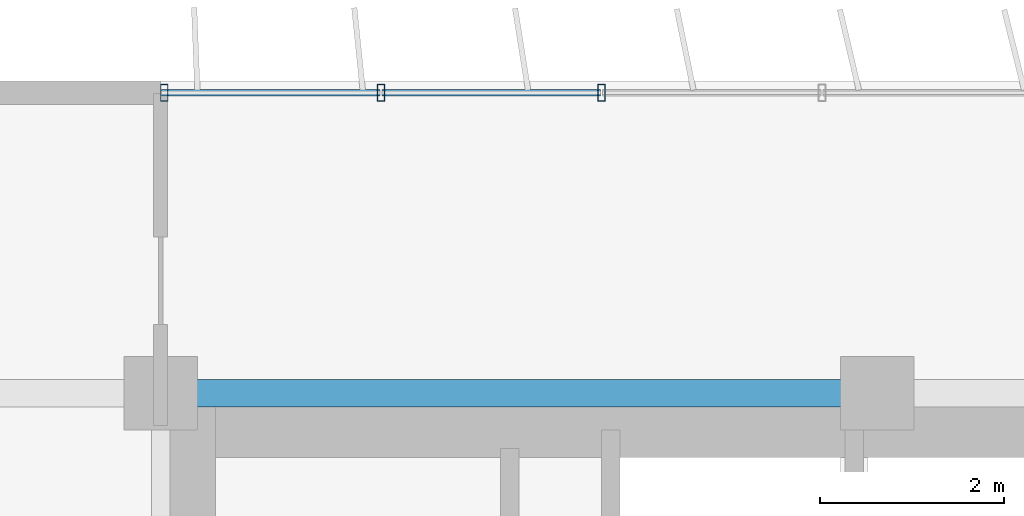
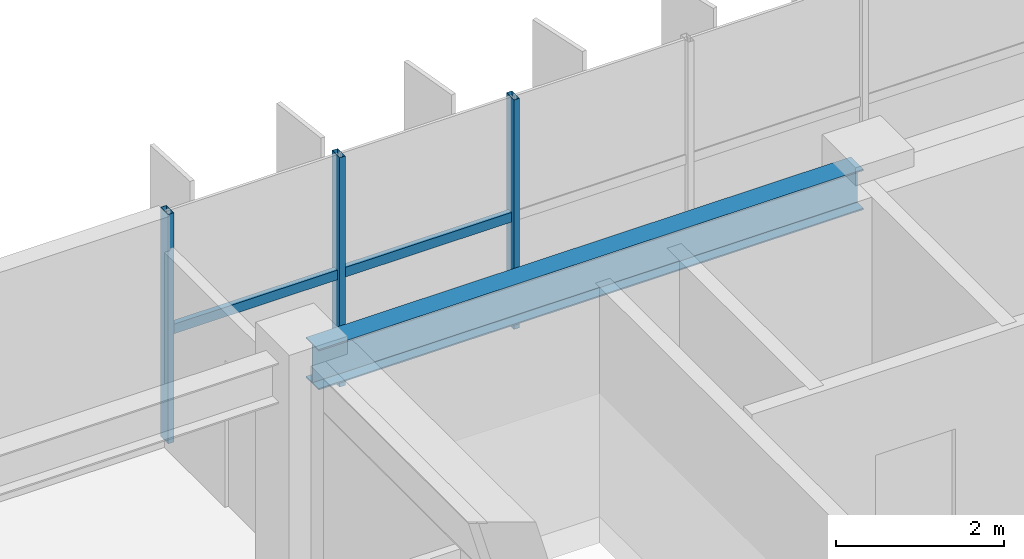
# One storey, part 5 of 22: 5 members, 1 beam, 1 element without a shape of its own.
"""IFC4 building model written with IfcOpenShell, lengths in metres."""

from ifc_helpers import new_model, si_unit, direction, frame, origin, origin_2d, place, context, subcontext, project, spatial, hollow_rectangle, i_section, extrude, source, transform, mapped, material, material_profile, profile_set, type_object, element, aggregate, save


model = new_model("IFC4")

# Units and contexts
model_context = context("Model", 3, precision=1e-05, world=origin(), true_north=direction((0.0, 1.0)))
body_context = subcontext(model_context, "Body", "Model", "MODEL_VIEW")
ifc_project = project(units=[si_unit("LENGTHUNIT", "METRE"), si_unit("AREAUNIT", "SQUARE_METRE"), si_unit("VOLUMEUNIT", "CUBIC_METRE"), si_unit("PLANEANGLEUNIT", "RADIAN"), si_unit("MASSUNIT", "GRAM", prefix="KILO")], contexts=[model_context])

# Site, building, storey
site_placement = place(None, origin())
site = spatial("IfcSite", under=ifc_project, at=site_placement, CompositionType="ELEMENT")
building_placement = place(site_placement, origin())
building = spatial("IfcBuilding", under=site, at=building_placement, Name="Trelvane Seafront Commons", CompositionType="ELEMENT")
storey_placement = place(building_placement, frame((0.0, 0.0, 81.699951171875)))
storey = spatial("IfcBuildingStorey", under=building, at=storey_placement, Name="L20", CompositionType="ELEMENT", Elevation=81.699951171875)

# Beam
ifc_material_1 = material(Name="Steel SM355 (S355)", Category="steel")
ifc_material_profile_1 = material_profile(ifc_material_1, i_section(OverallWidth=0.300048828125, OverallDepth=0.587890625, WebThickness=0.011962890625, FlangeThickness=0.02001953125, at=origin_2d()), Name="H-588x300x12x20")
ifc_profile_set_1 = profile_set([ifc_material_profile_1], Name="Steel SM355 (S355)")
beam_type = type_object("IfcBeamType", Name="STR-BM-H588", PredefinedType="BEAM", material=ifc_profile_set_1)
shared_shape_1 = source(origin(), body_context, "Body", "SweptSolid", [
    extrude(i_section(OverallWidth=0.300048828125, OverallDepth=0.587890625, WebThickness=0.011962890625, FlangeThickness=0.02001953125, at=origin_2d()), origin(), (0.0, 0.0, 1.0), 7.5),
])
beam_placement = place(storey_placement, frame((15.75, 45.10009765625, 3.046142578125), z_axis=(1.0, 0.0, 0.0), x_axis=(0.0, 1.0, 0.0)))
element("IfcBeam", 1, at=beam_placement, inside=storey, type_object=beam_type, Name="L20 Primary Girder G-30", PredefinedType="BEAM", context=body_context, shape_type="MappedRepresentation", body=[
    mapped(shared_shape_1, transform((0.0, 0.0, 0.0), x_axis=(1.0, 0.0, 0.0), y_axis=(0.0, 1.0, 0.0), z_axis=(0.0, 0.0, 1.0), scale=1.0)),
])

# Curtain wall, members
ifc_material_2 = material(Name="Anodised pale-silver aluminium", Category="aluminium")
curtain_wall_type = type_object("IfcCurtainWallType", Name="ARCH-CW4-SKYLOBBY", PredefinedType="NOTDEFINED", material=ifc_material_2)
curtain_wall_placement = place(storey_placement, origin())
curtain_wall = element("IfcCurtainWall", 2, at=curtain_wall_placement, inside=storey, type_object=curtain_wall_type, Name="CW-L20-0045", PredefinedType="NOTDEFINED")
ifc_material_profile_2 = material_profile(ifc_material_2, hollow_rectangle(XDim=0.074951171875, YDim=0.139892578125, WallThickness=0.00390625, at=origin_2d()), Name="TRAN-75x140x4")
ifc_profile_set_2 = profile_set([ifc_material_profile_2], Name="Anodised pale-silver aluminium")
member_type_1 = type_object("IfcMemberType", Name="ARCH-CW-TRAN-140", PredefinedType="USERDEFINED", material=ifc_profile_set_2)
shared_shape_2 = source(origin(), body_context, "Body", "SweptSolid", [
    extrude(hollow_rectangle(XDim=0.074951171875, YDim=0.139892578125, WallThickness=0.00390625, at=origin_2d()), origin(), (0.0, 0.0, 1.0), 2.3759765625),
])
member_1_placement = place(storey_placement, frame((15.612060546875, 48.3701171875, 1.60302734375), z_axis=(1.0, 0.0, 0.0), x_axis=(0.0, 1.0, 0.0)))
member_1 = element("IfcMember", 3, at=member_1_placement, type_object=member_type_1, Name="CW-L20-0045-T00", ObjectType="TRANSOM", PredefinedType="USERDEFINED", context=body_context, shape_type="MappedRepresentation", body=[
    mapped(shared_shape_2, transform((0.0, 0.0, 0.0), x_axis=(1.0, 0.0, 0.0), y_axis=(0.0, 1.0, 0.0), z_axis=(0.0, 0.0, 1.0), scale=1.0)),
])
member_2_placement = place(storey_placement, frame((18.011962890625, 48.3701171875, 1.60302734375), z_axis=(1.0, 0.0, 0.0), x_axis=(0.0, 1.0, 0.0)))
member_2 = element("IfcMember", 4, at=member_2_placement, type_object=member_type_1, Name="CW-L20-0045-T01", ObjectType="TRANSOM", PredefinedType="USERDEFINED", context=body_context, shape_type="MappedRepresentation", body=[
    mapped(shared_shape_2, transform((0.0, 0.0, 0.0), x_axis=(1.0, 0.0, 0.0), y_axis=(0.0, 1.0, 0.0), z_axis=(0.0, 0.0, 1.0), scale=1.0)),
])
ifc_material_profile_3 = material_profile(ifc_material_2, hollow_rectangle(XDim=0.080078125, YDim=0.179931640625, WallThickness=0.00439453125, at=origin_2d()), Name="MULL-80x180x4.5")
ifc_profile_set_3 = profile_set([ifc_material_profile_3], Name="Anodised pale-silver aluminium")
member_type_2 = type_object("IfcMemberType", Name="ARCH-CW-MULL-180", PredefinedType="MULLION", material=ifc_profile_set_3)
shared_shape_3 = source(origin(), body_context, "Body", "SweptSolid", [
    extrude(hollow_rectangle(XDim=0.080078125, YDim=0.179931640625, WallThickness=0.00439453125, at=origin_2d()), origin(), (0.0, 0.0, 1.0), 3.340087890625),
])
member_3_placement = place(storey_placement, frame((15.639892578125, 48.3701171875, 0.0), z_axis=(0.0, 0.0, 1.0), x_axis=(1.0, 0.0, 0.0)))
member_3 = element("IfcMember", 5, at=member_3_placement, type_object=member_type_2, Name="CW-L20-0045-M00", PredefinedType="MULLION", context=body_context, shape_type="MappedRepresentation", body=[
    mapped(shared_shape_3, transform((0.0, 0.0, 0.0), x_axis=(1.0, 0.0, 0.0), y_axis=(0.0, 1.0, 0.0), z_axis=(0.0, 0.0, 1.0), scale=1.0)),
])
member_4_placement = place(storey_placement, frame((18.0, 48.3701171875, 0.0), z_axis=(0.0, 0.0, 1.0), x_axis=(1.0, 0.0, 0.0)))
member_4 = element("IfcMember", 6, at=member_4_placement, type_object=member_type_2, Name="CW-L20-0045-M01", PredefinedType="MULLION", context=body_context, shape_type="MappedRepresentation", body=[
    mapped(shared_shape_3, transform((0.0, 0.0, 0.0), x_axis=(1.0, 0.0, 0.0), y_axis=(0.0, 1.0, 0.0), z_axis=(0.0, 0.0, 1.0), scale=1.0)),
])
member_5_placement = place(storey_placement, frame((20.39990234375, 48.3701171875, 0.0), z_axis=(0.0, 0.0, 1.0), x_axis=(1.0, 0.0, 0.0)))
member_5 = element("IfcMember", 7, at=member_5_placement, type_object=member_type_2, Name="CW-L20-0045-M02", PredefinedType="MULLION", context=body_context, shape_type="MappedRepresentation", body=[
    mapped(shared_shape_3, transform((0.0, 0.0, 0.0), x_axis=(1.0, 0.0, 0.0), y_axis=(0.0, 1.0, 0.0), z_axis=(0.0, 0.0, 1.0), scale=1.0)),
])
aggregate(curtain_wall, [member_3, member_4, member_5, member_1, member_2])

save(model, "model.ifc")
